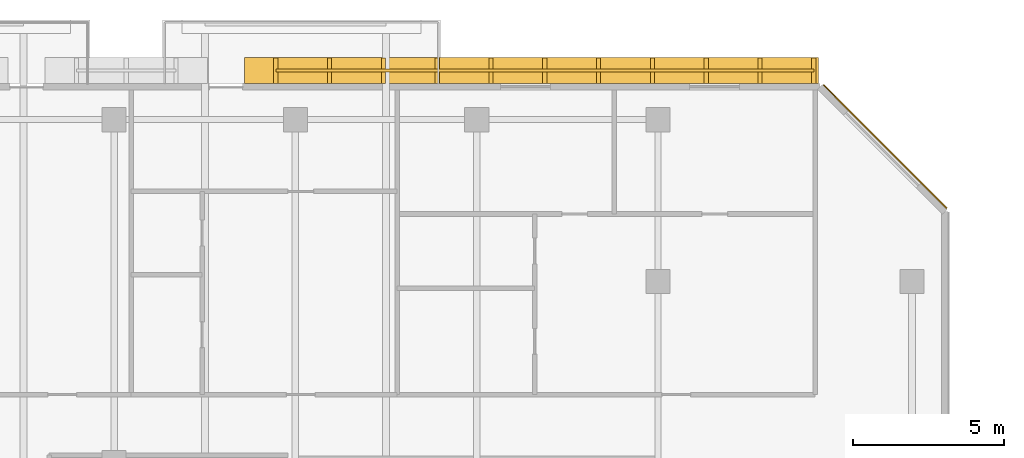
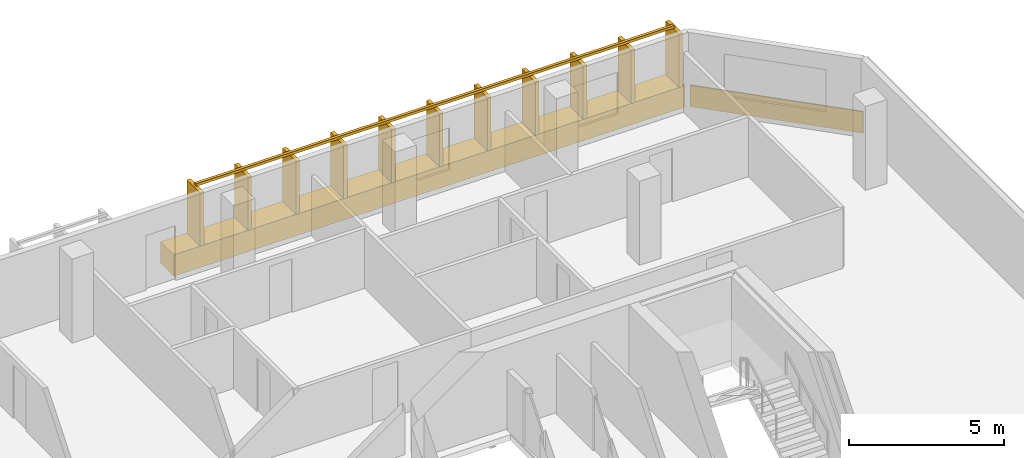
# One storey, part 22 of 22: 2 coverings, 1 railing.
"""IFC4 building model written with IfcOpenShell, lengths in metres."""

from ifc_helpers import new_model, si_unit, direction, frame, origin, origin_2d, place, context, subcontext, project, spatial, rectangle, extrude, material, layer, layer_set, type_object, element, save


model = new_model("IFC4")

# Units and contexts
model_context = context("Model", 3, precision=1e-05, world=origin(), true_north=direction((0.0, 1.0)))
body_context = subcontext(model_context, "Body", "Model", "MODEL_VIEW")
ifc_project = project(units=[si_unit("LENGTHUNIT", "METRE"), si_unit("AREAUNIT", "SQUARE_METRE"), si_unit("VOLUMEUNIT", "CUBIC_METRE"), si_unit("PLANEANGLEUNIT", "RADIAN"), si_unit("MASSUNIT", "GRAM", prefix="KILO")], contexts=[model_context])

# Site, building, storey
site_placement = place(None, origin())
site = spatial("IfcSite", under=ifc_project, at=site_placement, CompositionType="ELEMENT")
building_placement = place(site_placement, origin())
building = spatial("IfcBuilding", under=site, at=building_placement, Name="Tanjung Sevakor Pilgrim Tower", CompositionType="ELEMENT")
storey_placement = place(building_placement, frame((0.0, 0.0, 195.030029296875)))
storey = spatial("IfcBuildingStorey", under=building, at=storey_placement, Name="L54", CompositionType="ELEMENT", Elevation=195.030029296875)

# Coverings
ifc_material_1 = material(Name="Reconstructed Limestone Cladding", Category="masonry")
ifc_layer = layer(ifc_material_1, 0.044921875)
ifc_layer_set = layer_set([ifc_layer], Name="COV-CLAD-LIMESTONE")
covering_type = type_object("IfcCoveringType", Name="COV-CLAD-LIMESTONE", PredefinedType="CLADDING", material=ifc_layer_set)
covering_1_placement = place(storey_placement, frame((97.515869140625, 53.06591796875, 0.009765625), z_axis=(0.0, 0.0, 1.0), x_axis=(-0.707106781187, 0.707106781187, 0.0)))
element("IfcCovering", 1, at=covering_1_placement, inside=storey, type_object=covering_type, Name="L54 Warm Limestone Sill Spandrel EW-CHM-L54-MAIN-7-1", PredefinedType="CLADDING", context=body_context, shape_type="SweptSolid", body=[
    extrude(rectangle(XDim=5.7685546875, YDim=0.044921875, at=origin_2d()), origin(), (0.0, 0.0, 1.0), 0.840087890625),
])
covering_2_placement = place(storey_placement, frame((85.812255859375, 55.580078125, 0.009765625), z_axis=(0.0, 0.0, 1.0), x_axis=(-1.0, 0.0, 0.0)))
element("IfcCovering", 2, at=covering_2_placement, inside=storey, type_object=covering_type, Name="L54 Warm Limestone Sill Spandrel EW-L54-MAIN-9-1", PredefinedType="CLADDING", context=body_context, shape_type="SweptSolid", body=[
    extrude(rectangle(XDim=19.00439453125, YDim=0.860107421875, at=origin_2d()), origin(), (0.0, 0.0, 1.0), 0.840087890625),
])

# Railing
ifc_material_2 = material(Name="Anodised Bronze Aluminium 6063-T6", Category="aluminium")
railing_type = type_object("IfcRailingType", Name="RL-FIN-SCREEN", PredefinedType="BALUSTRADE", material=ifc_material_2)
railing_placement = place(storey_placement, frame((95.154296875, 55.574951171875, 0.840087890625)))
element("IfcRailing", 3, at=railing_placement, inside=storey, type_object=railing_type, Name="L54 Vertical Bronze-Gold Solar Fin Screen FNSCR-EW-L54-MAIN-9-1", PredefinedType="BALUSTRADE", context=body_context, shape_type="SweptSolid", body=[
    extrude(rectangle(XDim=0.105, YDim=0.105), frame((0.0, 0.0, 2.157470703125), z_axis=(-1.0, 0.0, 0.0), x_axis=(0.0, -1.0, 0.0)), (0.0, 0.0, 1.0), 17.80419921875),
    extrude(rectangle(XDim=0.14, YDim=0.85), origin(), (0.0, 0.0, 1.0), 2.10498046875),
    extrude(rectangle(XDim=0.14, YDim=0.85), frame((-1.780517578125, 0.0, 0.0)), (0.0, 0.0, 1.0), 2.10498046875),
    extrude(rectangle(XDim=0.14, YDim=0.85), frame((-3.560791015625, 0.0, 0.0)), (0.0, 0.0, 1.0), 2.10498046875),
    extrude(rectangle(XDim=0.14, YDim=0.85), frame((-5.34130859375, 0.0, 0.0)), (0.0, 0.0, 1.0), 2.10498046875),
    extrude(rectangle(XDim=0.14, YDim=0.85), frame((-7.12158203125, 0.0, 0.0)), (0.0, 0.0, 1.0), 2.10498046875),
    extrude(rectangle(XDim=0.14, YDim=0.85), frame((-8.902099609375, 0.0, 0.0)), (0.0, 0.0, 1.0), 2.10498046875),
    extrude(rectangle(XDim=0.14, YDim=0.85), frame((-10.6826171875, 0.0, 0.0)), (0.0, 0.0, 1.0), 2.10498046875),
    extrude(rectangle(XDim=0.14, YDim=0.85), frame((-12.462890625, 0.0, 0.0)), (0.0, 0.0, 1.0), 2.10498046875),
    extrude(rectangle(XDim=0.14, YDim=0.85), frame((-14.243408203125, 0.0, 0.0)), (0.0, 0.0, 1.0), 2.10498046875),
    extrude(rectangle(XDim=0.14, YDim=0.85), frame((-16.023681640625, 0.0, 0.0)), (0.0, 0.0, 1.0), 2.10498046875),
    extrude(rectangle(XDim=0.14, YDim=0.85), frame((-17.80419921875, 0.0, 0.0)), (0.0, 0.0, 1.0), 2.10498046875),
])

save(model, "model.ifc")
